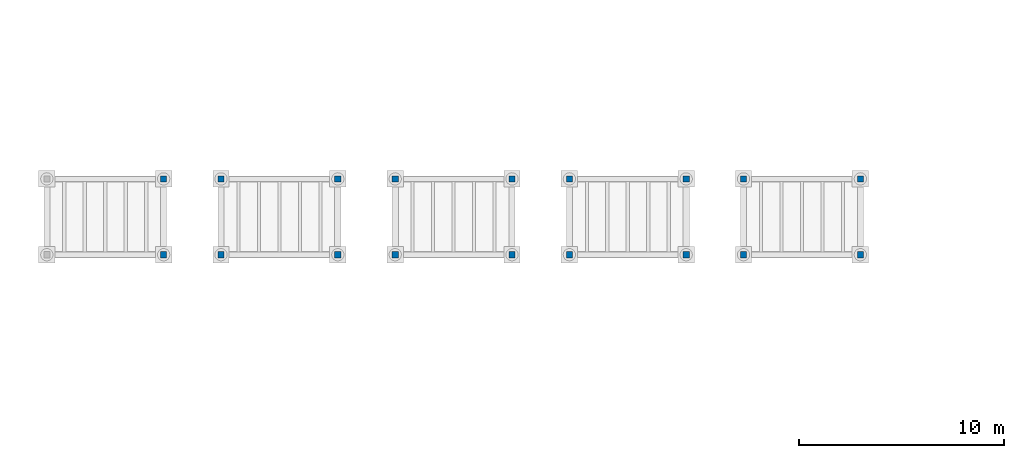
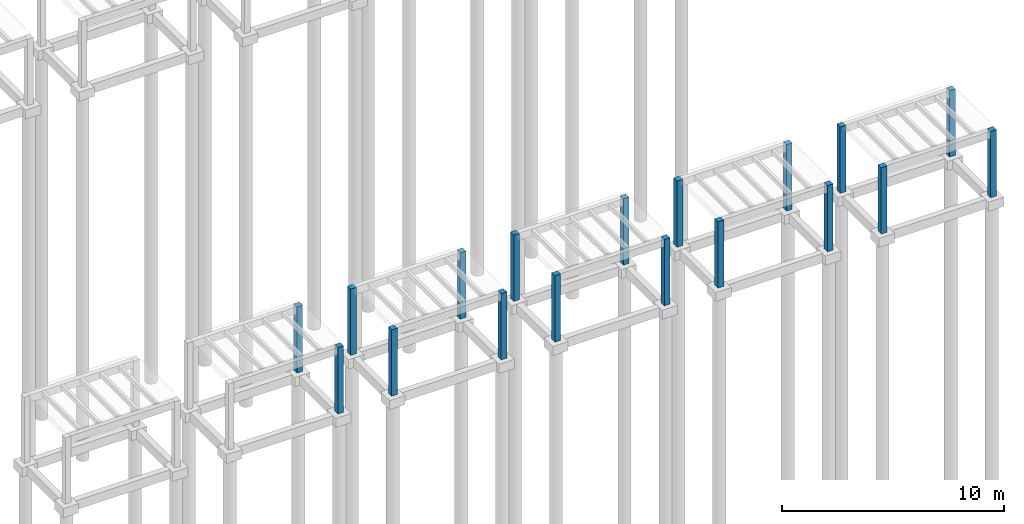
# One storey, part 6 of 51: 18 columns.
"""IFC4 building model written with IfcOpenShell, lengths in metres."""

from ifc_helpers import new_model, si_unit, direction, frame, origin, origin_2d, place, context, subcontext, project, spatial, rectangle, extrude, material, material_profile, profile_set, type_object, element, save


model = new_model("IFC4")

# Units and contexts
model_context = context("Model", 3, precision=1e-05, world=origin(), true_north=direction((0.0, 1.0)))
body_context = subcontext(model_context, "Body", "Model", "MODEL_VIEW")
ifc_project = project(units=[si_unit("LENGTHUNIT", "METRE"), si_unit("AREAUNIT", "SQUARE_METRE"), si_unit("VOLUMEUNIT", "CUBIC_METRE"), si_unit("PLANEANGLEUNIT", "RADIAN"), si_unit("MASSUNIT", "GRAM", prefix="KILO")], contexts=[model_context])

# Site, building, storey
site_placement = place(None, origin())
site = spatial("IfcSite", under=ifc_project, at=site_placement, CompositionType="ELEMENT")
building_placement = place(site_placement, origin())
building = spatial("IfcBuilding", under=site, at=building_placement, Name="Elmora Arch Market Hall", CompositionType="ELEMENT")
storey_placement = place(building_placement, origin())
storey = spatial("IfcBuildingStorey", under=building, at=storey_placement, Name="L00", CompositionType="ELEMENT", Elevation=0.0)

# Columns
ifc_material = material(Name="Concrete C40/50", Category="concrete")
ifc_material_profile = material_profile(ifc_material, rectangle(XDim=0.300048828125, YDim=0.300048828125, at=origin_2d()), Name="Stall column 300x300")
ifc_profile_set = profile_set([ifc_material_profile], Name="Concrete C40/50")
column_type = type_object("IfcColumnType", Name="Stall column 300x300", PredefinedType="COLUMN", material=ifc_profile_set)
for number, where, z_axis, x_axis, name in (
    (1, (89.35009765625, 52.14990234375, -0.300048828125), (0.0, 0.0, 1.0), (1.0, 0.0, 0.0), "Stall column STALL-12-2 L00"),
    (2, (89.35009765625, 55.85009765625, -0.300048828125), (0.0, 0.0, 1.0), (1.0, 0.0, 0.0), "Stall column STALL-12-4 L00"),
    (3, (92.14990234375, 52.14990234375, -0.300048828125), (0.0, 0.0, 1.0), (1.0, 0.0, 0.0), "Stall column STALL-13-1 L00"),
    (4, (97.85009765625, 52.14990234375, -0.300048828125), (0.0, 0.0, 1.0), (1.0, 0.0, 0.0), "Stall column STALL-13-2 L00"),
    (5, (92.14990234375, 55.85009765625, -0.300048828125), (0.0, 0.0, 1.0), (1.0, 0.0, 0.0), "Stall column STALL-13-3 L00"),
    (6, (97.85009765625, 55.85009765625, -0.300048828125), (0.0, 0.0, 1.0), (1.0, 0.0, 0.0), "Stall column STALL-13-4 L00"),
    (7, (100.64990234375, 52.14990234375, -0.300048828125), (0.0, 0.0, 1.0), (1.0, 0.0, 0.0), "Stall column STALL-14-1 L00"),
    (8, (106.35009765625, 52.14990234375, -0.300048828125), (0.0, 0.0, 1.0), (1.0, 0.0, 0.0), "Stall column STALL-14-2 L00"),
    (9, (100.64990234375, 55.85009765625, -0.300048828125), (0.0, 0.0, 1.0), (1.0, 0.0, 0.0), "Stall column STALL-14-3 L00"),
    (10, (106.35009765625, 55.85009765625, -0.300048828125), (0.0, 0.0, 1.0), (1.0, 0.0, 0.0), "Stall column STALL-14-4 L00"),
    (11, (109.14990234375, 52.14990234375, -0.300048828125), (0.0, 0.0, 1.0), (1.0, 0.0, 0.0), "Stall column STALL-15-1 L00"),
    (12, (114.85009765625, 52.14990234375, -0.300048828125), (0.0, 0.0, 1.0), (1.0, 0.0, 0.0), "Stall column STALL-15-2 L00"),
    (13, (109.14990234375, 55.85009765625, -0.300048828125), (0.0, 0.0, 1.0), (1.0, 0.0, 0.0), "Stall column STALL-15-3 L00"),
    (14, (114.85009765625, 55.85009765625, -0.300048828125), (0.0, 0.0, 1.0), (1.0, 0.0, 0.0), "Stall column STALL-15-4 L00"),
    (15, (117.64990234375, 52.14990234375, -0.300048828125), (0.0, 0.0, 1.0), (1.0, 0.0, 0.0), "Stall column STALL-16-1 L00"),
    (16, (123.35009765625, 52.14990234375, -0.300048828125), (0.0, 0.0, 1.0), (1.0, 0.0, 0.0), "Stall column STALL-16-2 L00"),
    (17, (117.64990234375, 55.85009765625, -0.300048828125), (0.0, 0.0, 1.0), (1.0, 0.0, 0.0), "Stall column STALL-16-3 L00"),
    (18, (123.35009765625, 55.85009765625, -0.300048828125), (0.0, 0.0, 1.0), (1.0, 0.0, 0.0), "Stall column STALL-16-4 L00"),
):
    element("IfcColumn", number, at=place(storey_placement, frame(where, z_axis=z_axis, x_axis=x_axis)), inside=storey, type_object=column_type, Name=name, PredefinedType="COLUMN", context=body_context, shape_type="SweptSolid", body=[
        extrude(rectangle(XDim=0.300048828125, YDim=0.300048828125, at=origin_2d()), origin(), (0.0, 0.0, 1.0), 3.650146484375),
    ])

save(model, "model.ifc")
